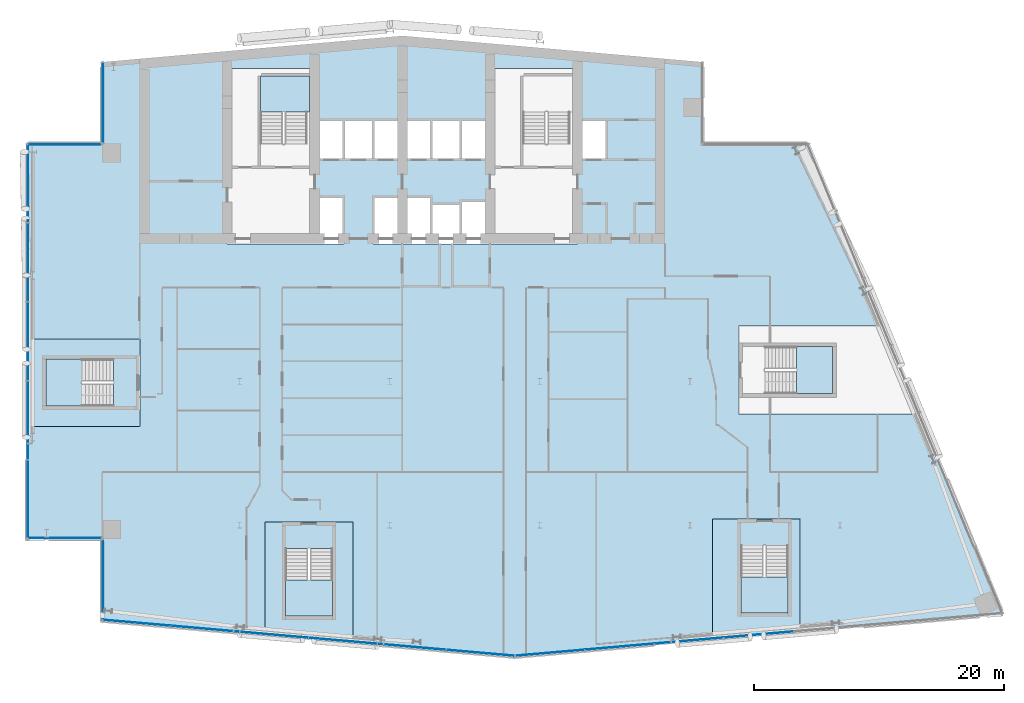
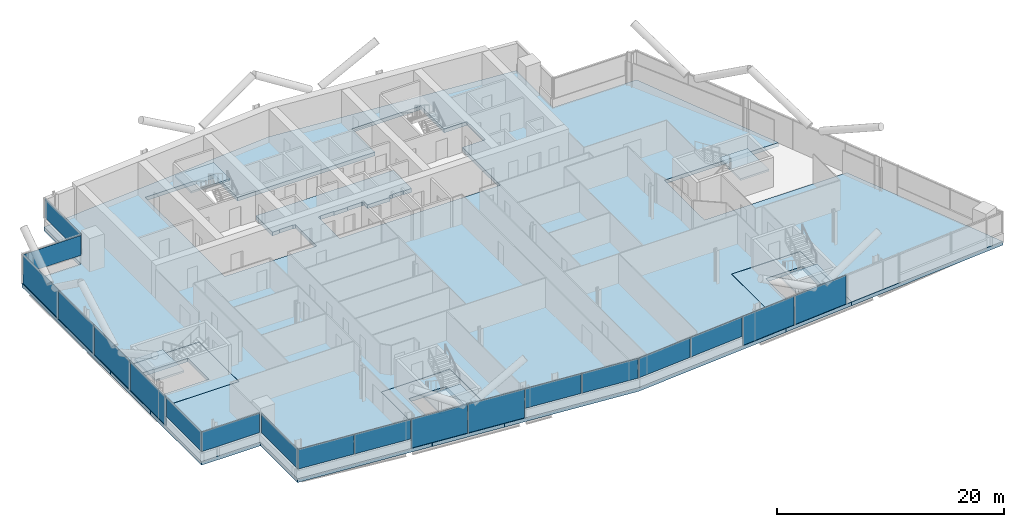
# One storey, part 12 of 26: 19 plates, 9 slabs, 12 elements without a shape of their own.
"""IFC4 building model written with IfcOpenShell, lengths in metres."""

from ifc_helpers import new_model, si_unit, direction, frame, origin, origin_2d, place, context, subcontext, project, spatial, polyline, rectangle, outline, extrude, material, layer, layer_set, type_object, element, aggregate, save


model = new_model("IFC4")

# Units and contexts
model_context = context("Model", 3, precision=1e-05, world=origin(), true_north=direction((0.0, 1.0)))
body_context = subcontext(model_context, "Body", "Model", "MODEL_VIEW")
ifc_project = project(units=[si_unit("LENGTHUNIT", "METRE"), si_unit("AREAUNIT", "SQUARE_METRE"), si_unit("VOLUMEUNIT", "CUBIC_METRE"), si_unit("PLANEANGLEUNIT", "RADIAN"), si_unit("MASSUNIT", "GRAM", prefix="KILO")], contexts=[model_context])

# Site, building, storey
site_placement = place(None, origin())
site = spatial("IfcSite", under=ifc_project, at=site_placement, CompositionType="ELEMENT")
building_placement = place(site_placement, origin())
building = spatial("IfcBuilding", under=site, at=building_placement, Name="Wharfspan Tower", CompositionType="ELEMENT")
storey_placement = place(building_placement, frame((0.0, 0.0, 166.300049)))
storey = spatial("IfcBuildingStorey", under=building, at=storey_placement, Name="L40", CompositionType="ELEMENT", Elevation=166.300049)

# Curtain wall, plates
ifc_material_1 = material(Name="Aluminium 6063-T6", Category="aluminium")
curtain_wall_type_1 = type_object("IfcCurtainWallType", Name="CURTAIN WALL FACETED FRONT", PredefinedType="NOTDEFINED", material=ifc_material_1)
curtain_wall_1_placement = place(storey_placement, origin())
curtain_wall_1 = element("IfcCurtainWall", 1, at=curtain_wall_1_placement, inside=storey, type_object=curtain_wall_type_1, Name="Curtain wall S1", PredefinedType="NOTDEFINED")
ifc_material_2 = material(Name="Glass clear low-iron double glazing", Category="glass")
ifc_layer_1 = layer(ifc_material_2, 0.040039)
ifc_layer_set_1 = layer_set([ifc_layer_1], Name="Glass clear low-iron double glazing")
plate_type_1 = type_object("IfcPlateType", Name="GLASS PANEL FACETED FRONT 40", PredefinedType="CURTAIN_PANEL", material=ifc_layer_set_1)
plate_1_placement = place(storey_placement, frame((15.770264, 3.692871, 1.0), z_axis=(0.0, 0.0, 1.0), x_axis=(0.996198, -0.087156, 0.0)))
plate_1 = element("IfcPlate", 2, at=plate_1_placement, type_object=plate_type_1, Name="Curtain wall S1 panel 1", PredefinedType="CURTAIN_PANEL", context=body_context, shape_type="SweptSolid", body=[
    extrude(rectangle(XDim=5.430908, YDim=0.040039, at=origin_2d()), origin(), (0.0, 0.0, 1.0), 2.120117),
])
plate_2_placement = place(storey_placement, frame((21.255127, 3.213135, 1.0), z_axis=(0.0, 0.0, 1.0), x_axis=(0.996198, -0.087156, 0.0)))
plate_2 = element("IfcPlate", 3, at=plate_2_placement, type_object=plate_type_1, Name="Curtain wall S1 panel 2", PredefinedType="CURTAIN_PANEL", context=body_context, shape_type="SweptSolid", body=[
    extrude(rectangle(XDim=5.460938, YDim=0.040039, at=origin_2d()), origin(), (0.0, 0.0, 1.0), 2.120117),
])
plate_3_placement = place(storey_placement, frame((37.755127, 1.769531, 1.0), z_axis=(0.0, 0.0, 1.0), x_axis=(0.996198, -0.087156, 0.0)))
plate_3 = element("IfcPlate", 4, at=plate_3_placement, type_object=plate_type_1, Name="Curtain wall S1 panel 5", PredefinedType="CURTAIN_PANEL", context=body_context, shape_type="SweptSolid", body=[
    extrude(rectangle(XDim=5.460938, YDim=0.040039, at=origin_2d()), origin(), (0.0, 0.0, 1.0), 2.120117),
])
plate_4_placement = place(storey_placement, frame((43.240234, 1.289551, 1.0), z_axis=(0.0, 0.0, 1.0), x_axis=(0.996198, -0.087156, 0.0)))
plate_4 = element("IfcPlate", 5, at=plate_4_placement, type_object=plate_type_1, Name="Curtain wall S1 panel 6", PredefinedType="CURTAIN_PANEL", context=body_context, shape_type="SweptSolid", body=[
    extrude(rectangle(XDim=5.430908, YDim=0.040039, at=origin_2d()), origin(), (0.0, 0.0, 1.0), 2.120117),
])

curtain_wall_2_placement = place(storey_placement, origin())
curtain_wall_2 = element("IfcCurtainWall", 6, at=curtain_wall_2_placement, inside=storey, type_object=curtain_wall_type_1, Name="Curtain wall S2", PredefinedType="NOTDEFINED")
plate_5_placement = place(storey_placement, frame((48.79541, 1.292725, 1.0), z_axis=(0.0, 0.0, 1.0), x_axis=(0.996198, 0.087156, 0.0)))
plate_5 = element("IfcPlate", 7, at=plate_5_placement, type_object=plate_type_1, Name="Curtain wall S2 panel 1", PredefinedType="CURTAIN_PANEL", context=body_context, shape_type="SweptSolid", body=[
    extrude(rectangle(XDim=5.502686, YDim=0.040039, at=origin_2d()), origin(), (0.0, 0.0, 1.0), 2.120117),
])
plate_6_placement = place(storey_placement, frame((54.351807, 1.778809, 1.0), z_axis=(0.0, 0.0, 1.0), x_axis=(0.996198, 0.087156, 0.0)))
plate_6 = element("IfcPlate", 8, at=plate_6_placement, type_object=plate_type_1, Name="Curtain wall S2 panel 2", PredefinedType="CURTAIN_PANEL", context=body_context, shape_type="SweptSolid", body=[
    extrude(rectangle(XDim=5.532715, YDim=0.040039, at=origin_2d()), origin(), (0.0, 0.0, 1.0), 2.120117),
])

# Curtain wall, plate
curtain_wall_type_2 = type_object("IfcCurtainWallType", Name="CURTAIN WALL PROW AND END", PredefinedType="NOTDEFINED", material=ifc_material_1)
curtain_wall_3_placement = place(storey_placement, origin())
curtain_wall_3 = element("IfcCurtainWall", 9, at=curtain_wall_3_placement, inside=storey, type_object=curtain_wall_type_2, Name="Curtain wall NRW-V", PredefinedType="NOTDEFINED")
ifc_layer_2 = layer(ifc_material_2, 0.040039)
ifc_layer_set_2 = layer_set([ifc_layer_2], Name="Glass clear low-iron double glazing")
plate_type_2 = type_object("IfcPlateType", Name="GLASS PANEL PROW AND END 40", PredefinedType="CURTAIN_PANEL", material=ifc_layer_set_2)
plate_7_placement = place(storey_placement, frame((13.080078, 45.262451, 1.0), z_axis=(0.0, 0.0, 1.0), x_axis=(0.0, -1.0, 0.0)))
plate_7 = element("IfcPlate", 10, at=plate_7_placement, type_object=plate_type_2, Name="Curtain wall NRW-V panel 1", PredefinedType="CURTAIN_PANEL", context=body_context, shape_type="SweptSolid", body=[
    extrude(rectangle(XDim=6.405029, YDim=0.040039, at=origin_2d()), origin(), (0.0, 0.0, 1.0), 2.120117),
])
aggregate(curtain_wall_3, [plate_7])

curtain_wall_4_placement = place(storey_placement, origin())
curtain_wall_4 = element("IfcCurtainWall", 11, at=curtain_wall_4_placement, inside=storey, type_object=curtain_wall_type_2, Name="Curtain wall NRW-H", PredefinedType="NOTDEFINED")
plate_8_placement = place(storey_placement, frame((10.0, 41.919922, 1.0), z_axis=(0.0, 0.0, 1.0), x_axis=(-1.0, 0.0, 0.0)))
plate_8 = element("IfcPlate", 12, at=plate_8_placement, type_object=plate_type_2, Name="Curtain wall NRW-H panel 1", PredefinedType="CURTAIN_PANEL", context=body_context, shape_type="SweptSolid", body=[
    extrude(rectangle(XDim=5.879883, YDim=0.040039, at=origin_2d()), origin(), (0.0, 0.0, 1.0), 2.120117),
])
aggregate(curtain_wall_4, [plate_8])

curtain_wall_5_placement = place(storey_placement, origin())
curtain_wall_5 = element("IfcCurtainWall", 13, at=curtain_wall_5_placement, inside=storey, type_object=curtain_wall_type_2, Name="Curtain wall W", PredefinedType="NOTDEFINED")
plate_9_placement = place(storey_placement, frame((7.080078, 13.574951, 1.0), z_axis=(0.0, 0.0, 1.0), x_axis=(0.0, -1.0, 0.0)))
plate_9 = element("IfcPlate", 14, at=plate_9_placement, type_object=plate_type_2, Name="Curtain wall W panel 5", PredefinedType="CURTAIN_PANEL", context=body_context, shape_type="SweptSolid", body=[
    extrude(rectangle(XDim=6.22998, YDim=0.040039, at=origin_2d()), origin(), (0.0, 0.0, 1.0), 2.120117),
])

curtain_wall_6_placement = place(storey_placement, origin())
curtain_wall_6 = element("IfcCurtainWall", 15, at=curtain_wall_6_placement, inside=storey, type_object=curtain_wall_type_2, Name="Curtain wall NFW-H", PredefinedType="NOTDEFINED")
plate_10_placement = place(storey_placement, frame((10.0, 10.47998, 1.0), z_axis=(0.0, 0.0, 1.0), x_axis=(1.0, 0.0, 0.0)))
plate_10 = element("IfcPlate", 16, at=plate_10_placement, type_object=plate_type_2, Name="Curtain wall NFW-H panel 1", PredefinedType="CURTAIN_PANEL", context=body_context, shape_type="SweptSolid", body=[
    extrude(rectangle(XDim=5.879883, YDim=0.040039, at=origin_2d()), origin(), (0.0, 0.0, 1.0), 2.120117),
])
aggregate(curtain_wall_6, [plate_10])

curtain_wall_7_placement = place(storey_placement, origin())
curtain_wall_7 = element("IfcCurtainWall", 17, at=curtain_wall_7_placement, inside=storey, type_object=curtain_wall_type_2, Name="Curtain wall NFW-V", PredefinedType="NOTDEFINED")
plate_11_placement = place(storey_placement, frame((13.080078, 7.137451, 1.0), z_axis=(0.0, 0.0, 1.0), x_axis=(0.0, -1.0, 0.0)))
plate_11 = element("IfcPlate", 18, at=plate_11_placement, type_object=plate_type_2, Name="Curtain wall NFW-V panel 1", PredefinedType="CURTAIN_PANEL", context=body_context, shape_type="SweptSolid", body=[
    extrude(rectangle(XDim=6.405029, YDim=0.040039, at=origin_2d()), origin(), (0.0, 0.0, 1.0), 2.120117),
])
aggregate(curtain_wall_7, [plate_11])

# Plate
ifc_material_3 = material(Name="Aluminium composite opaque insulated panel", Category="aluminium")
ifc_layer_3 = layer(ifc_material_3, 0.040039)
ifc_layer_set_3 = layer_set([ifc_layer_3], Name="Aluminium composite opaque insulated panel")
plate_type_3 = type_object("IfcPlateType", Name="INFILL PANEL FACETED FRONT OPAQUE 40", PredefinedType="SHEET", material=ifc_layer_set_3)
plate_12_placement = place(storey_placement, frame((26.755127, 2.731934, 0.0), z_axis=(0.0, 0.0, 1.0), x_axis=(0.996198, -0.087156, 0.0)))
plate_12 = element("IfcPlate", 19, at=plate_12_placement, type_object=plate_type_3, Name="Curtain wall S1 panel 3", PredefinedType="SHEET", context=body_context, shape_type="SweptSolid", body=[
    extrude(rectangle(XDim=5.460938, YDim=0.040039, at=origin_2d()), origin(), (0.0, 0.0, 1.0), 3.120117),
])

plate_13_placement = place(storey_placement, frame((32.255127, 2.250732, 0.0), z_axis=(0.0, 0.0, 1.0), x_axis=(0.996198, -0.087156, 0.0)))
plate_13 = element("IfcPlate", 20, at=plate_13_placement, type_object=plate_type_3, Name="Curtain wall S1 panel 4", PredefinedType="SHEET", context=body_context, shape_type="SweptSolid", body=[
    extrude(rectangle(XDim=5.460938, YDim=0.040039, at=origin_2d()), origin(), (0.0, 0.0, 1.0), 3.120117),
])

aggregate(curtain_wall_1, [plate_1, plate_2, plate_12, plate_13, plate_3, plate_4])

plate_14_placement = place(storey_placement, frame((59.92334, 2.266357, 0.0), z_axis=(0.0, 0.0, 1.0), x_axis=(0.996198, 0.087156, 0.0)))
plate_14 = element("IfcPlate", 21, at=plate_14_placement, type_object=plate_type_3, Name="Curtain wall S2 panel 3", PredefinedType="SHEET", context=body_context, shape_type="SweptSolid", body=[
    extrude(rectangle(XDim=5.532715, YDim=0.040039, at=origin_2d()), origin(), (0.0, 0.0, 1.0), 3.120117),
])

plate_15_placement = place(storey_placement, frame((65.494873, 2.753662, 0.0), z_axis=(0.0, 0.0, 1.0), x_axis=(0.996198, 0.087156, 0.0)))
plate_15 = element("IfcPlate", 22, at=plate_15_placement, type_object=plate_type_3, Name="Curtain wall S2 panel 4", PredefinedType="SHEET", context=body_context, shape_type="SweptSolid", body=[
    extrude(rectangle(XDim=5.532715, YDim=0.040039, at=origin_2d()), origin(), (0.0, 0.0, 1.0), 3.120117),
])

aggregate(curtain_wall_2, [plate_5, plate_6, plate_14, plate_15])

ifc_layer_4 = layer(ifc_material_3, 0.040039)
ifc_layer_set_4 = layer_set([ifc_layer_4], Name="Aluminium composite opaque insulated panel")
plate_type_4 = type_object("IfcPlateType", Name="INFILL PANEL PROW AND END OPAQUE 40", PredefinedType="SHEET", material=ifc_layer_set_4)
plate_16_placement = place(storey_placement, frame((7.080078, 38.824951, 0.0), z_axis=(0.0, 0.0, 1.0), x_axis=(0.0, -1.0, 0.0)))
plate_16 = element("IfcPlate", 23, at=plate_16_placement, type_object=plate_type_4, Name="Curtain wall W panel 1", PredefinedType="SHEET", context=body_context, shape_type="SweptSolid", body=[
    extrude(rectangle(XDim=6.22998, YDim=0.040039, at=origin_2d()), origin(), (0.0, 0.0, 1.0), 3.120117),
])

plate_17_placement = place(storey_placement, frame((7.080078, 32.52002, 0.0), z_axis=(0.0, 0.0, 1.0), x_axis=(0.0, -1.0, 0.0)))
plate_17 = element("IfcPlate", 24, at=plate_17_placement, type_object=plate_type_4, Name="Curtain wall W panel 2", PredefinedType="SHEET", context=body_context, shape_type="SweptSolid", body=[
    extrude(rectangle(XDim=6.26001, YDim=0.040039, at=origin_2d()), origin(), (0.0, 0.0, 1.0), 3.120117),
])

plate_18_placement = place(storey_placement, frame((7.080078, 26.199951, 0.0), z_axis=(0.0, 0.0, 1.0), x_axis=(0.0, -1.0, 0.0)))
plate_18 = element("IfcPlate", 25, at=plate_18_placement, type_object=plate_type_4, Name="Curtain wall W panel 3", PredefinedType="SHEET", context=body_context, shape_type="SweptSolid", body=[
    extrude(rectangle(XDim=6.26001, YDim=0.040039, at=origin_2d()), origin(), (0.0, 0.0, 1.0), 3.120117),
])

plate_19_placement = place(storey_placement, frame((7.080078, 19.879883, 0.0), z_axis=(0.0, 0.0, 1.0), x_axis=(0.0, -1.0, 0.0)))
plate_19 = element("IfcPlate", 26, at=plate_19_placement, type_object=plate_type_4, Name="Curtain wall W panel 4", PredefinedType="SHEET", context=body_context, shape_type="SweptSolid", body=[
    extrude(rectangle(XDim=6.26001, YDim=0.040039, at=origin_2d()), origin(), (0.0, 0.0, 1.0), 3.120117),
])

aggregate(curtain_wall_5, [plate_16, plate_17, plate_18, plate_19, plate_9])

# Slabs
ifc_material_4 = material(Name="Concrete C40/50", Category="concrete")
ifc_layer_5 = layer(ifc_material_4, 0.399902)
ifc_layer_set_5 = layer_set([ifc_layer_5], Name="Concrete C40/50")
slab_type_1 = type_object("IfcSlabType", Name="Post-tensioned flat slab 400", PredefinedType="FLOOR", material=ifc_layer_set_5)
slab_1_placement = place(storey_placement, frame((0.0, 0.0, -0.400146)))
element("IfcSlab", 27, at=slab_1_placement, inside=storey, type_object=slab_type_1, Name="Floor slab L40", PredefinedType="FLOOR", context=body_context, shape_type="SweptSolid", body=[
    extrude(outline(polyline([(26.029297, 2.735107), (26.029297, 11.744385), (33.049316, 11.744385), (33.049316, 2.121094), (46.0, 0.987793), (61.801514, 2.370361), (61.801514, 11.993652), (68.821289, 11.993652), (68.821289, 2.984619), (85.0, 4.399902), (78.398682, 20.389893), (63.894531, 20.389893), (63.894531, 27.409912), (75.500488, 27.409912), (69.477051, 42.0), (61.0, 42.0), (61.0, 48.524902), (37.0, 50.624756), (13.0, 48.524902), (13.0, 42.0), (7.0, 42.0), (7.0, 26.409912), (16.01001, 26.409912), (16.01001, 19.389893), (7.0, 19.389893), (7.0, 10.399902), (13.0, 10.399902), (13.0, 3.875), (26.029297, 2.735107)]), holes=[polyline([(32.126709, 37.76001), (32.343262, 37.76001), (32.343262, 33.98999), (22.98999, 33.98999), (22.98999, 48.01001), (30.01001, 48.01001), (30.01001, 43.909912), (43.98999, 43.909912), (43.98999, 48.01001), (51.01001, 48.01001), (51.01001, 43.909912), (53.343262, 43.909912), (53.343262, 40.689941), (51.01001, 40.689941), (51.01001, 33.98999), (34.656738, 33.98999), (34.656738, 37.76001), (34.873291, 37.76001), (34.873291, 37.810059), (36.293213, 37.810059), (36.293213, 37.76001), (37.666748, 37.76001), (37.666748, 37.810059), (39.166748, 37.810059), (39.166748, 37.76001), (39.343262, 37.76001), (39.343262, 37.209961), (41.656738, 37.209961), (41.656738, 37.459961), (42.023193, 37.459961), (42.023193, 37.51001), (43.143311, 37.51001), (43.143311, 37.459961), (43.98999, 37.459961), (43.98999, 40.689941), (30.01001, 40.689941), (30.01001, 37.76001), (30.706787, 37.76001), (30.706787, 37.810059), (32.126709, 37.810059), (32.126709, 37.76001)])]), origin(), (0.0, 0.0, 1.0), 0.400146),
])
slab_2_placement = place(storey_placement, frame((0.0, 0.0, -0.400146)))
element("IfcSlab", 28, at=slab_2_placement, inside=storey, type_object=slab_type_1, Name="Core floor slab L40 part 1", PredefinedType="FLOOR", context=body_context, shape_type="SweptSolid", body=[
    extrude(outline(polyline([(16.0, 20.725098), (16.0, 25.074951), (16.0, 26.399902), (7.0, 26.399902), (7.0, 19.399902), (16.0, 19.399902), (16.0, 20.725098)]), holes=[polyline([(13.899902, 24.7771), (13.900146, 24.7771), (13.900391, 24.7771), (13.900635, 24.776855), (13.900879, 24.776855), (13.900879, 24.776855), (13.901123, 24.776611), (13.901367, 24.776611), (13.901367, 24.776367), (13.901611, 24.776367), (13.901611, 24.776123), (13.901855, 24.775879), (13.901855, 24.775879), (13.901855, 24.775635), (13.9021, 24.775391), (13.9021, 24.775146), (13.9021, 24.774902), (13.9021, 21.024902), (13.9021, 21.024902), (13.9021, 21.024658), (13.901855, 21.024414), (13.901855, 21.02417), (13.901855, 21.02417), (13.901611, 21.023926), (13.901611, 21.023682), (13.901367, 21.023682), (13.901367, 21.023438), (13.901123, 21.023193), (13.900879, 21.023193), (13.900879, 21.023193), (13.900635, 21.023193), (13.900391, 21.022949), (13.900146, 21.022949), (13.899902, 21.022949), (8.5, 21.022949), (8.499756, 21.022949), (8.499512, 21.022949), (8.499512, 21.023193), (8.499268, 21.023193), (8.499023, 21.023193), (8.498779, 21.023193), (8.498779, 21.023438), (8.498535, 21.023682), (8.498535, 21.023682), (8.498291, 21.023926), (8.498291, 21.02417), (8.498291, 21.02417), (8.498047, 21.024414), (8.498047, 21.024658), (8.498047, 21.024902), (8.498047, 21.024902), (8.498047, 24.774902), (8.498047, 24.775146), (8.498047, 24.775391), (8.498047, 24.775635), (8.498291, 24.775879), (8.498291, 24.775879), (8.498291, 24.776123), (8.498535, 24.776367), (8.498535, 24.776367), (8.498779, 24.776611), (8.498779, 24.776611), (8.499023, 24.776855), (8.499268, 24.776855), (8.499512, 24.776855), (8.499512, 24.7771), (8.499756, 24.7771), (8.5, 24.7771), (13.899902, 24.7771)])]), origin(), (0.0, 0.0, 1.0), 0.400146),
])
slab_3_placement = place(storey_placement, frame((0.0, 0.0, -0.400146)))
element("IfcSlab", 29, at=slab_3_placement, inside=storey, type_object=slab_type_1, Name="Core floor slab L40 part 2", PredefinedType="FLOOR", context=body_context, shape_type="SweptSolid", body=[
    extrude(outline(polyline([(31.714111, 11.734375), (27.364258, 11.734375), (26.039307, 11.734375), (26.039307, 2.734375), (33.039307, 2.121826), (33.039307, 11.734375), (31.714111, 11.734375)]), holes=[polyline([(27.662109, 9.634277), (27.662109, 9.634521), (27.662354, 9.634766), (27.662354, 9.63501), (27.662354, 9.63501), (27.662598, 9.635254), (27.662598, 9.635498), (27.662598, 9.635498), (27.662842, 9.635742), (27.663086, 9.635742), (27.663086, 9.635986), (27.66333, 9.635986), (27.663574, 9.635986), (27.663574, 9.63623), (27.663818, 9.63623), (27.664062, 9.63623), (27.664307, 9.63623), (31.414307, 9.63623), (31.414307, 9.63623), (31.414551, 9.63623), (31.414795, 9.63623), (31.415039, 9.635986), (31.415283, 9.635986), (31.415283, 9.635986), (31.415527, 9.635742), (31.415527, 9.635742), (31.415771, 9.635498), (31.416016, 9.635498), (31.416016, 9.635254), (31.416016, 9.63501), (31.416016, 9.63501), (31.41626, 9.634766), (31.41626, 9.634521), (31.41626, 9.634277), (31.41626, 4.234375), (31.41626, 4.234131), (31.41626, 4.233887), (31.416016, 4.233643), (31.416016, 4.233398), (31.416016, 4.233398), (31.416016, 4.233154), (31.415771, 4.23291), (31.415527, 4.23291), (31.415527, 4.232666), (31.415283, 4.232666), (31.415283, 4.232422), (31.415039, 4.232422), (31.414795, 4.232422), (31.414551, 4.232422), (31.414307, 4.232422), (31.414307, 4.232422), (27.664307, 4.232422), (27.664062, 4.232422), (27.663818, 4.232422), (27.663574, 4.232422), (27.663574, 4.232422), (27.66333, 4.232422), (27.663086, 4.232666), (27.663086, 4.232666), (27.662842, 4.23291), (27.662598, 4.23291), (27.662598, 4.233154), (27.662598, 4.233398), (27.662354, 4.233398), (27.662354, 4.233643), (27.662354, 4.233887), (27.662109, 4.234131), (27.662109, 4.234375), (27.662109, 9.634277)])]), origin(), (0.0, 0.0, 1.0), 0.400146),
])
slab_4_placement = place(storey_placement, frame((0.0, 0.0, -0.400146)))
element("IfcSlab", 30, at=slab_4_placement, inside=storey, type_object=slab_type_1, Name="Core floor slab L40 part 4", PredefinedType="FLOOR", context=body_context, shape_type="SweptSolid", body=[
    extrude(outline(polyline([(68.811279, 11.983643), (68.136475, 11.983643), (63.786377, 11.983643), (61.811279, 11.983643), (61.811279, 2.371338), (68.811279, 2.983643), (68.811279, 11.983643)]), holes=[polyline([(64.084473, 9.883789), (64.084473, 9.883789), (64.084473, 9.884033), (64.084473, 9.884277), (64.084473, 9.884521), (64.084717, 9.884521), (64.084717, 9.884766), (64.084717, 9.88501), (64.084961, 9.88501), (64.085205, 9.885254), (64.085205, 9.885254), (64.085449, 9.885498), (64.085693, 9.885498), (64.085693, 9.885498), (64.085938, 9.885498), (64.086182, 9.885742), (64.086426, 9.885742), (67.836426, 9.885742), (67.836426, 9.885742), (67.83667, 9.885498), (67.836914, 9.885498), (67.837158, 9.885498), (67.837402, 9.885498), (67.837402, 9.885254), (67.837646, 9.885254), (67.837891, 9.88501), (67.837891, 9.88501), (67.837891, 9.884766), (67.838135, 9.884521), (67.838135, 9.884521), (67.838379, 9.884277), (67.838379, 9.884033), (67.838379, 9.883789), (67.838379, 9.883789), (67.838379, 4.483643), (67.838379, 4.483398), (67.838379, 4.483398), (67.838379, 4.483154), (67.838135, 4.48291), (67.838135, 4.482666), (67.837891, 4.482666), (67.837891, 4.482422), (67.837891, 4.482422), (67.837646, 4.482178), (67.837402, 4.481934), (67.837402, 4.481934), (67.837158, 4.481689), (67.836914, 4.481689), (67.83667, 4.481689), (67.836426, 4.481689), (67.836426, 4.481689), (64.086426, 4.481689), (64.086182, 4.481689), (64.085938, 4.481689), (64.085693, 4.481689), (64.085693, 4.481689), (64.085449, 4.481934), (64.085205, 4.481934), (64.085205, 4.482178), (64.084961, 4.482422), (64.084717, 4.482422), (64.084717, 4.482666), (64.084717, 4.482666), (64.084473, 4.48291), (64.084473, 4.483154), (64.084473, 4.483398), (64.084473, 4.483398), (64.084473, 4.483643), (64.084473, 9.883789)])]), origin(), (0.0, 0.0, 1.0), 0.400146),
])

# Stair, slab
stair_type = type_object("IfcStairType", Name="Half-turn stair 20 risers 180 mm", PredefinedType="HALF_TURN_STAIR", material=ifc_material_4)
stair_1_placement = place(storey_placement, origin())
stair_1 = element("IfcStair", 31, at=stair_1_placement, inside=storey, type_object=stair_type, Name="L40 stair ST1", PredefinedType="HALF_TURN_STAIR")
ifc_layer_6 = layer(ifc_material_4, 0.199951)
ifc_layer_set_6 = layer_set([ifc_layer_6], Name="Concrete C40/50")
slab_type_2 = type_object("IfcSlabType", Name="Stair landing 200", PredefinedType="LANDING", material=ifc_layer_set_6)
slab_5_placement = place(storey_placement, frame((0.0, 0.0, 1.599854)))
slab_5 = element("IfcSlab", 32, at=slab_5_placement, type_object=slab_type_2, Name="ST1 landing 1", PredefinedType="LANDING", context=body_context, shape_type="SweptSolid", body=[
    extrude(outline(polyline([(25.649902, 44.52002), (29.600098, 44.52002), (29.600098, 47.399902), (25.649902, 47.399902), (25.649902, 44.52002)])), origin(), (0.0, 0.0, 1.0), 0.200195),
])
aggregate(stair_1, [slab_5])

stair_2_placement = place(storey_placement, origin())
stair_2 = element("IfcStair", 33, at=stair_2_placement, inside=storey, type_object=stair_type, Name="L40 stair ST3", PredefinedType="HALF_TURN_STAIR")
slab_6_placement = place(storey_placement, frame((0.0, 0.0, 1.599854)))
slab_6 = element("IfcSlab", 34, at=slab_6_placement, type_object=slab_type_2, Name="ST3 landing 1", PredefinedType="LANDING", context=body_context, shape_type="SweptSolid", body=[
    extrude(outline(polyline([(11.379883, 24.774902), (8.5, 24.774902), (8.5, 21.024902), (11.379883, 21.024902), (11.379883, 24.774902)])), origin(), (0.0, 0.0, 1.0), 0.200195),
])
aggregate(stair_2, [slab_6])

stair_3_placement = place(storey_placement, origin())
stair_3 = element("IfcStair", 35, at=stair_3_placement, inside=storey, type_object=stair_type, Name="L40 stair ST4", PredefinedType="HALF_TURN_STAIR")
slab_7_placement = place(storey_placement, frame((0.0, 0.0, 1.599854)))
slab_7 = element("IfcSlab", 36, at=slab_7_placement, type_object=slab_type_2, Name="ST4 landing 1", PredefinedType="LANDING", context=body_context, shape_type="SweptSolid", body=[
    extrude(outline(polyline([(27.664307, 7.114258), (27.664307, 4.234375), (31.414307, 4.234375), (31.414307, 7.114258), (27.664307, 7.114258)])), origin(), (0.0, 0.0, 1.0), 0.200195),
])
aggregate(stair_3, [slab_7])

stair_4_placement = place(storey_placement, origin())
stair_4 = element("IfcStair", 37, at=stair_4_placement, inside=storey, type_object=stair_type, Name="L40 stair ST5", PredefinedType="HALF_TURN_STAIR")
slab_8_placement = place(storey_placement, frame((0.0, 0.0, 1.599854)))
slab_8 = element("IfcSlab", 38, at=slab_8_placement, type_object=slab_type_2, Name="ST5 landing 1", PredefinedType="LANDING", context=body_context, shape_type="SweptSolid", body=[
    extrude(outline(polyline([(64.086426, 7.36377), (64.086426, 4.483643), (67.836426, 4.483643), (67.836426, 7.36377), (64.086426, 7.36377)])), origin(), (0.0, 0.0, 1.0), 0.200195),
])
aggregate(stair_4, [slab_8])

stair_5_placement = place(storey_placement, origin())
stair_5 = element("IfcStair", 39, at=stair_5_placement, inside=storey, type_object=stair_type, Name="L40 stair ST6", PredefinedType="HALF_TURN_STAIR")
slab_9_placement = place(storey_placement, frame((0.0, 0.0, 1.599854)))
slab_9 = element("IfcSlab", 40, at=slab_9_placement, type_object=slab_type_2, Name="ST6 landing 1", PredefinedType="LANDING", context=body_context, shape_type="SweptSolid", body=[
    extrude(outline(polyline([(68.524658, 22.024902), (71.404541, 22.024902), (71.404541, 25.774902), (68.524658, 25.774902), (68.524658, 22.024902)])), origin(), (0.0, 0.0, 1.0), 0.200195),
])
aggregate(stair_5, [slab_9])

save(model, "model.ifc")
